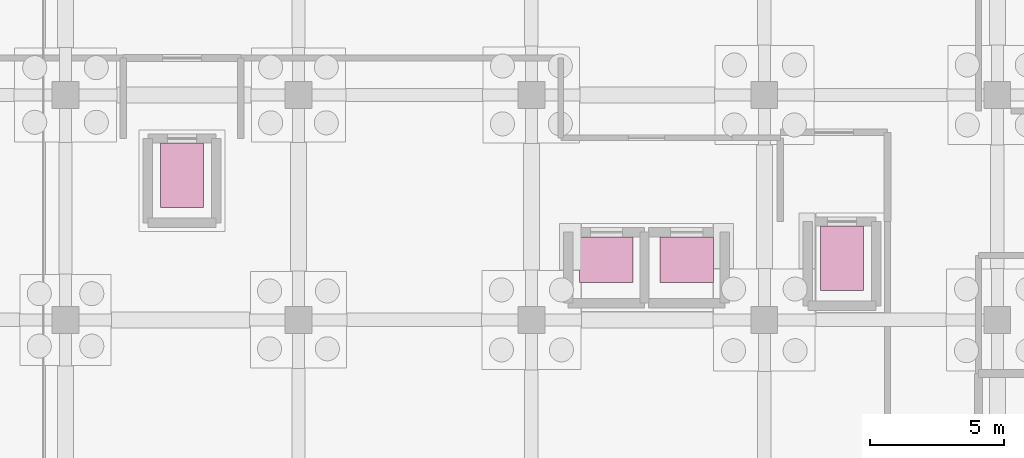
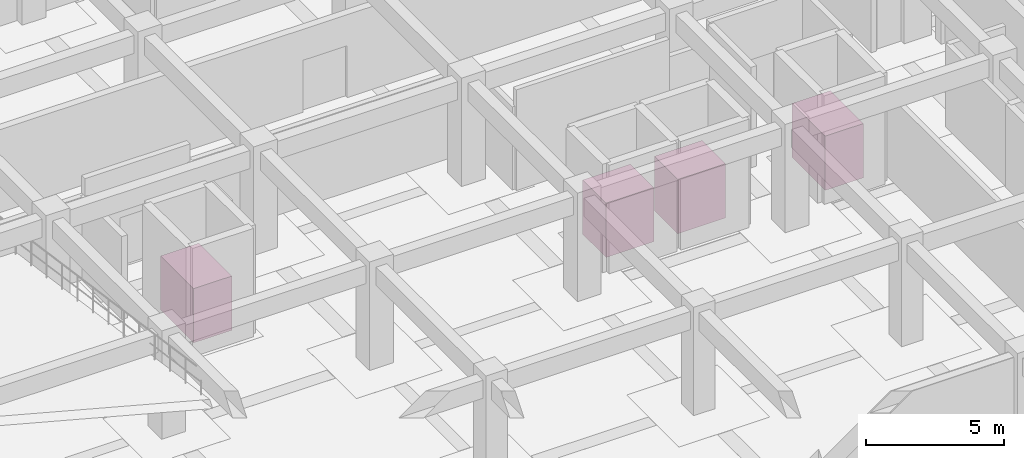
# One storey, part 33 of 33: 4 transport elements.
"""IFC4 building model written with IfcOpenShell, lengths in metres."""

from ifc_helpers import new_model, si_unit, derived_unit, direction, frame, origin, origin_2d, place, context, subcontext, project, spatial, rectangle, extrude, material, type_object, element, save


model = new_model("IFC4")

# Units and contexts
model_context = context("Model", 3, precision=1e-05, world=origin(), true_north=direction((0.0, 1.0)))
body_context = subcontext(model_context, "Body", "Model", "MODEL_VIEW")
ifc_project = project(units=[si_unit("LENGTHUNIT", "METRE"), si_unit("AREAUNIT", "SQUARE_METRE"), si_unit("VOLUMEUNIT", "CUBIC_METRE"), si_unit("PLANEANGLEUNIT", "RADIAN"), si_unit("MASSUNIT", "GRAM", prefix="KILO"), derived_unit("THERMALTRANSMITTANCEUNIT", [(si_unit("MASSUNIT", "GRAM", prefix="KILO"), 1), (si_unit("TIMEUNIT", "SECOND"), -3), (si_unit("THERMODYNAMICTEMPERATUREUNIT", "KELVIN"), -1)])], contexts=[model_context])

# Site, building, storey
site_placement = place(None, origin())
site = spatial("IfcSite", under=ifc_project, at=site_placement, CompositionType="ELEMENT")
building_placement = place(site_placement, origin())
building = spatial("IfcBuilding", under=site, at=building_placement, Name="Qinzheling Arcade Emporium", CompositionType="ELEMENT")
storey_placement = place(building_placement, frame((0.0, 0.0, -9.60009765625)))
storey = spatial("IfcBuildingStorey", under=building, at=storey_placement, Name="B2", CompositionType="ELEMENT", Elevation=-9.60009765625)

# Transport elements
ifc_material_1 = material(Name="Architectural bronze and mirror stainless lift car")
transport_element_type_1 = type_object("IfcTransportElementType", Name="Customer Passenger Lift 1600kg", PredefinedType="ELEVATOR", material=ifc_material_1)
for number, where, z_axis, x_axis, name in (
    (1, (46.300048828125, 27.449951171875, 0.000244140625), (0.0, 0.0, 1.0), (1.0, 0.0, 0.0), "Elevator Lift Car LP01"),
    (2, (49.300048828125, 27.449951171875, 0.000244140625), (0.0, 0.0, 1.0), (1.0, 0.0, 0.0), "Elevator Lift Car LP02"),
):
    element("IfcTransportElement", number, at=place(storey_placement, frame(where, z_axis=z_axis, x_axis=x_axis)), inside=storey, type_object=transport_element_type_1, Name=name, PredefinedType="ELEVATOR", context=body_context, shape_type="SweptSolid", body=[
        extrude(rectangle(XDim=2.0, YDim=1.699951171875, at=origin_2d()), origin(), (0.0, 0.0, 1.0), 2.39990234375),
    ])
ifc_material_2 = material(Name="Fire-rated stainless steel lift car", Category="steel")
transport_element_type_2 = type_object("IfcTransportElementType", Name="Firefighting Passenger Lift 1350kg", PredefinedType="ELEVATOR", material=ifc_material_2)
for number, where, z_axis, x_axis, name in (
    (3, (55.10009765625, 27.5, 0.000244140625), (0.0, 0.0, 1.0), (1.0, 0.0, 0.0), "Elevator Lift Car LF01"),
    (4, (30.449951171875, 30.60009765625, 0.000244140625), (0.0, 0.0, 1.0), (1.0, 0.0, 0.0), "Elevator Lift Car LF02"),
):
    element("IfcTransportElement", number, at=place(storey_placement, frame(where, z_axis=z_axis, x_axis=x_axis)), inside=storey, type_object=transport_element_type_2, Name=name, PredefinedType="ELEVATOR", context=body_context, shape_type="SweptSolid", body=[
        extrude(rectangle(XDim=1.60009765625, YDim=2.39990234375, at=origin_2d()), origin(), (0.0, 0.0, 1.0), 2.39990234375),
    ])

save(model, "model.ifc")
